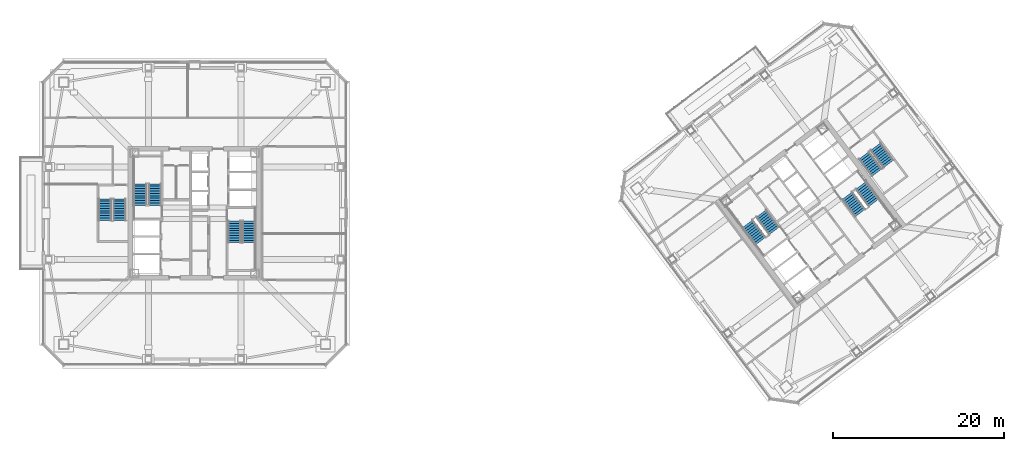
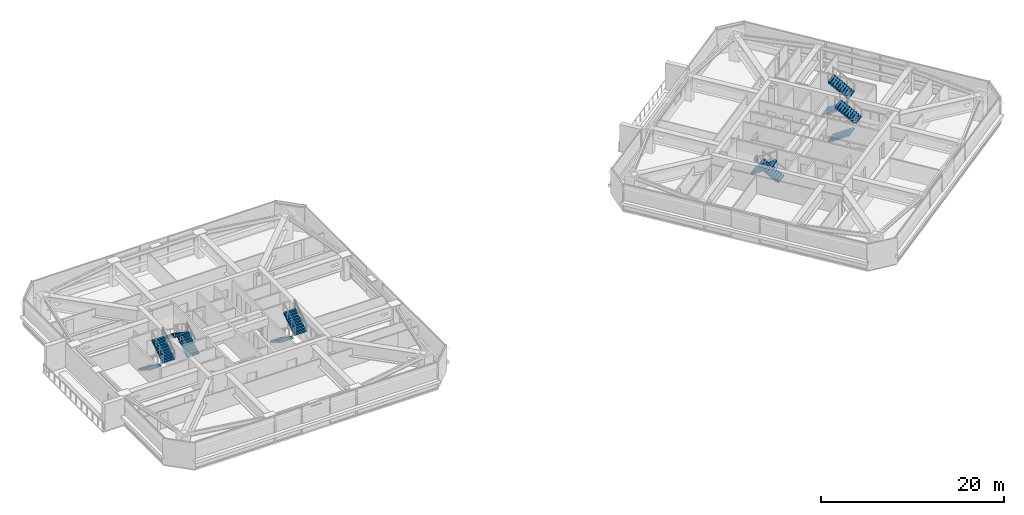
# One storey, part 36 of 42: 12 stair flights, 6 elements without a shape of their own.
"""IFC4 building model written with IfcOpenShell, lengths in metres."""

from ifc_helpers import new_model, si_unit, direction, frame, origin, place, context, subcontext, project, spatial, polyline, outline, extrude, material, type_object, element, aggregate, save


model = new_model("IFC4")

# Units and contexts
model_context = context("Model", 3, precision=1e-05, world=origin(), true_north=direction((0.0, 1.0)))
body_context = subcontext(model_context, "Body", "Model", "MODEL_VIEW")
ifc_project = project(units=[si_unit("LENGTHUNIT", "METRE"), si_unit("AREAUNIT", "SQUARE_METRE"), si_unit("VOLUMEUNIT", "CUBIC_METRE"), si_unit("PLANEANGLEUNIT", "RADIAN"), si_unit("MASSUNIT", "GRAM", prefix="KILO")], contexts=[model_context])

# Site, building, storey
site_placement = place(None, origin())
site = spatial("IfcSite", under=ifc_project, at=site_placement, CompositionType="ELEMENT")
building_placement = place(site_placement, origin())
building = spatial("IfcBuilding", under=site, at=building_placement, Name="Tashvorn Skyway Center", CompositionType="ELEMENT")
storey_placement = place(building_placement, frame((0.0, 0.0, 196.050048828125)))
storey = spatial("IfcBuildingStorey", under=building, at=storey_placement, Name="L53", CompositionType="ELEMENT", Elevation=196.050048828125)

# Stair, stair flights
ifc_material = material(Name="Concrete C40/50", Category="concrete")
stair_type = type_object("IfcStairType", Name="STAIR-CORE-1500", PredefinedType="HALF_TURN_STAIR", material=ifc_material)
stair_1_placement = place(storey_placement, origin())
stair_1 = element("IfcStair", 1, at=stair_1_placement, inside=storey, type_object=stair_type, Name="L53 Tower 1 Exit Stair 1", PredefinedType="HALF_TURN_STAIR")
stair_flight_type = type_object("IfcStairFlightType", Name="SFLIGHT-1500", PredefinedType="STRAIGHT", material=ifc_material)
stair_flight_1_placement = place(storey_placement, frame((37.35009765625, 32.919921875, 0.0), z_axis=(0.0, 0.0, 1.0), x_axis=(0.0, 1.0, 0.0)))
stair_flight_1 = element("IfcStairFlight", 2, at=stair_flight_1_placement, type_object=stair_flight_type, Name="ST-T1-1 flight 1", NumberOfRisers=10, NumberOfTreads=9, PredefinedType="STRAIGHT", RiserHeight=0.1775, TreadLength=0.28, context=body_context, shape_type="SweptSolid", body=[
    extrude(outline(polyline([(0.0, 0.0), (0.0, 0.177490234375), (0.280029296875, 0.177490234375), (0.280029296875, 0.35498046875), (0.56005859375, 0.35498046875), (0.56005859375, 0.532470703125), (0.840087890625, 0.532470703125), (0.840087890625, 0.7099609375), (1.1201171875, 0.7099609375), (1.1201171875, 0.887451171875), (1.39990234375, 0.887451171875), (1.39990234375, 1.06494140625), (1.679931640625, 1.06494140625), (1.679931640625, 1.242431640625), (1.9599609375, 1.242431640625), (1.9599609375, 1.419921875), (2.239990234375, 1.419921875), (2.239990234375, 1.597412109375), (2.52001953125, 1.597412109375), (2.52001953125, 1.77490234375), (2.52001953125, 1.419921875), (0.280029296875, 0.0), (0.0, 0.0)])), frame((0.0, 0.75, 0.0), z_axis=(0.0, -1.0, 0.0), x_axis=(1.0, 0.0, 0.0)), (0.0, 0.0, 1.0), 1.5),
])
stair_flight_2_placement = place(storey_placement, frame((35.64990234375, 35.43994140625, 1.77490234375), z_axis=(0.0, 0.0, 1.0), x_axis=(0.0, -1.0, 0.0)))
stair_flight_2 = element("IfcStairFlight", 3, at=stair_flight_2_placement, type_object=stair_flight_type, Name="ST-T1-1 flight 2", NumberOfRisers=10, NumberOfTreads=9, PredefinedType="STRAIGHT", RiserHeight=0.1775, TreadLength=0.28, context=body_context, shape_type="SweptSolid", body=[
    extrude(outline(polyline([(0.0, 0.0), (0.0, 0.177490234375), (0.280029296875, 0.177490234375), (0.280029296875, 0.35498046875), (0.56005859375, 0.35498046875), (0.56005859375, 0.532470703125), (0.840087890625, 0.532470703125), (0.840087890625, 0.7099609375), (1.1201171875, 0.7099609375), (1.1201171875, 0.887451171875), (1.39990234375, 0.887451171875), (1.39990234375, 1.06494140625), (1.679931640625, 1.06494140625), (1.679931640625, 1.242431640625), (1.9599609375, 1.242431640625), (1.9599609375, 1.419921875), (2.239990234375, 1.419921875), (2.239990234375, 1.597412109375), (2.52001953125, 1.597412109375), (2.52001953125, 1.77490234375), (2.52001953125, 1.419921875), (0.280029296875, 0.0), (0.0, 0.0)])), frame((0.0, 0.75, 0.0), z_axis=(0.0, -1.0, 0.0), x_axis=(1.0, 0.0, 0.0)), (0.0, 0.0, 1.0), 1.5),
])
aggregate(stair_1, [stair_flight_1, stair_flight_2])

stair_2_placement = place(storey_placement, origin())
stair_2 = element("IfcStair", 4, at=stair_2_placement, inside=storey, type_object=stair_type, Name="L53 Tower 1 Exit Stair 2", PredefinedType="HALF_TURN_STAIR")
stair_flight_3_placement = place(storey_placement, frame((46.64990234375, 31.080078125, 0.0), z_axis=(0.0, 0.0, 1.0), x_axis=(0.0, -1.0, 0.0)))
stair_flight_3 = element("IfcStairFlight", 5, at=stair_flight_3_placement, type_object=stair_flight_type, Name="ST-T1-2 flight 1", NumberOfRisers=10, NumberOfTreads=9, PredefinedType="STRAIGHT", RiserHeight=0.1775, TreadLength=0.28, context=body_context, shape_type="SweptSolid", body=[
    extrude(outline(polyline([(0.0, 0.0), (0.0, 0.177490234375), (0.280029296875, 0.177490234375), (0.280029296875, 0.35498046875), (0.56005859375, 0.35498046875), (0.56005859375, 0.532470703125), (0.840087890625, 0.532470703125), (0.840087890625, 0.7099609375), (1.1201171875, 0.7099609375), (1.1201171875, 0.887451171875), (1.39990234375, 0.887451171875), (1.39990234375, 1.06494140625), (1.679931640625, 1.06494140625), (1.679931640625, 1.242431640625), (1.9599609375, 1.242431640625), (1.9599609375, 1.419921875), (2.239990234375, 1.419921875), (2.239990234375, 1.597412109375), (2.52001953125, 1.597412109375), (2.52001953125, 1.77490234375), (2.52001953125, 1.419921875), (0.280029296875, 0.0), (0.0, 0.0)])), frame((0.0, 0.75, 0.0), z_axis=(0.0, -1.0, 0.0), x_axis=(1.0, 0.0, 0.0)), (0.0, 0.0, 1.0), 1.5),
])
stair_flight_4_placement = place(storey_placement, frame((48.35009765625, 28.56005859375, 1.77490234375), z_axis=(0.0, 0.0, 1.0), x_axis=(0.0, 1.0, 0.0)))
stair_flight_4 = element("IfcStairFlight", 6, at=stair_flight_4_placement, type_object=stair_flight_type, Name="ST-T1-2 flight 2", NumberOfRisers=10, NumberOfTreads=9, PredefinedType="STRAIGHT", RiserHeight=0.1775, TreadLength=0.28, context=body_context, shape_type="SweptSolid", body=[
    extrude(outline(polyline([(0.0, 0.0), (0.0, 0.177490234375), (0.280029296875, 0.177490234375), (0.280029296875, 0.35498046875), (0.56005859375, 0.35498046875), (0.56005859375, 0.532470703125), (0.840087890625, 0.532470703125), (0.840087890625, 0.7099609375), (1.1201171875, 0.7099609375), (1.1201171875, 0.887451171875), (1.39990234375, 0.887451171875), (1.39990234375, 1.06494140625), (1.679931640625, 1.06494140625), (1.679931640625, 1.242431640625), (1.9599609375, 1.242431640625), (1.9599609375, 1.419921875), (2.239990234375, 1.419921875), (2.239990234375, 1.597412109375), (2.52001953125, 1.597412109375), (2.52001953125, 1.77490234375), (2.52001953125, 1.419921875), (0.280029296875, 0.0), (0.0, 0.0)])), frame((0.0, 0.75, 0.0), z_axis=(0.0, -1.0, 0.0), x_axis=(1.0, 0.0, 0.0)), (0.0, 0.0, 1.0), 1.5),
])
aggregate(stair_2, [stair_flight_3, stair_flight_4])

stair_3_placement = place(storey_placement, origin())
stair_3 = element("IfcStair", 7, at=stair_3_placement, inside=storey, type_object=stair_type, Name="L53 Tower 2 Exit Stair 1", PredefinedType="HALF_TURN_STAIR")
stair_flight_5_placement = place(storey_placement, frame((109.72802734375, 29.946044921875, 0.0), z_axis=(0.0, 0.0, 1.0), x_axis=(-0.600000004945, 0.799999996291, 0.0)))
stair_flight_5 = element("IfcStairFlight", 8, at=stair_flight_5_placement, type_object=stair_flight_type, Name="ST-T2-1 flight 1", NumberOfRisers=10, NumberOfTreads=9, PredefinedType="STRAIGHT", RiserHeight=0.1775, TreadLength=0.28, context=body_context, shape_type="SweptSolid", body=[
    extrude(outline(polyline([(0.0, 0.0), (0.0, 0.177490234375), (0.280029296875, 0.177490234375), (0.280029296875, 0.35498046875), (0.56005859375, 0.35498046875), (0.56005859375, 0.532470703125), (0.840087890625, 0.532470703125), (0.840087890625, 0.7099609375), (1.1201171875, 0.7099609375), (1.1201171875, 0.887451171875), (1.39990234375, 0.887451171875), (1.39990234375, 1.06494140625), (1.679931640625, 1.06494140625), (1.679931640625, 1.242431640625), (1.9599609375, 1.242431640625), (1.9599609375, 1.419921875), (2.239990234375, 1.419921875), (2.239990234375, 1.597412109375), (2.52001953125, 1.597412109375), (2.52001953125, 1.77490234375), (2.52001953125, 1.419921875), (0.280029296875, 0.0), (0.0, 0.0)])), frame((0.0, 0.75, 0.0), z_axis=(0.0, -1.0, 0.0), x_axis=(1.0, 0.0, 0.0)), (0.0, 0.0, 1.0), 1.5),
])
stair_flight_6_placement = place(storey_placement, frame((106.632080078125, 30.77392578125, 1.77490234375), z_axis=(0.0, 0.0, 1.0), x_axis=(0.600000004945, -0.799999996291, 0.0)))
stair_flight_6 = element("IfcStairFlight", 9, at=stair_flight_6_placement, type_object=stair_flight_type, Name="ST-T2-1 flight 2", NumberOfRisers=10, NumberOfTreads=9, PredefinedType="STRAIGHT", RiserHeight=0.1775, TreadLength=0.28, context=body_context, shape_type="SweptSolid", body=[
    extrude(outline(polyline([(0.0, 0.0), (0.0, 0.177490234375), (0.280029296875, 0.177490234375), (0.280029296875, 0.35498046875), (0.56005859375, 0.35498046875), (0.56005859375, 0.532470703125), (0.840087890625, 0.532470703125), (0.840087890625, 0.7099609375), (1.1201171875, 0.7099609375), (1.1201171875, 0.887451171875), (1.39990234375, 0.887451171875), (1.39990234375, 1.06494140625), (1.679931640625, 1.06494140625), (1.679931640625, 1.242431640625), (1.9599609375, 1.242431640625), (1.9599609375, 1.419921875), (2.239990234375, 1.419921875), (2.239990234375, 1.597412109375), (2.52001953125, 1.597412109375), (2.52001953125, 1.77490234375), (2.52001953125, 1.419921875), (0.280029296875, 0.0), (0.0, 0.0)])), frame((0.0, 0.75, 0.0), z_axis=(0.0, -1.0, 0.0), x_axis=(1.0, 0.0, 0.0)), (0.0, 0.0, 1.0), 1.5),
])
aggregate(stair_3, [stair_flight_5, stair_flight_6])

stair_4_placement = place(storey_placement, origin())
stair_4 = element("IfcStair", 10, at=stair_4_placement, inside=storey, type_object=stair_type, Name="L53 Tower 2 Exit Stair 2", PredefinedType="HALF_TURN_STAIR")
stair_flight_7_placement = place(storey_placement, frame((118.27197265625, 34.053955078125, 0.0), z_axis=(0.0, 0.0, 1.0), x_axis=(0.600000004945, -0.799999996291, 0.0)))
stair_flight_7 = element("IfcStairFlight", 11, at=stair_flight_7_placement, type_object=stair_flight_type, Name="ST-T2-2 flight 1", NumberOfRisers=10, NumberOfTreads=9, PredefinedType="STRAIGHT", RiserHeight=0.1775, TreadLength=0.28, context=body_context, shape_type="SweptSolid", body=[
    extrude(outline(polyline([(0.0, 0.0), (0.0, 0.177490234375), (0.280029296875, 0.177490234375), (0.280029296875, 0.35498046875), (0.56005859375, 0.35498046875), (0.56005859375, 0.532470703125), (0.840087890625, 0.532470703125), (0.840087890625, 0.7099609375), (1.1201171875, 0.7099609375), (1.1201171875, 0.887451171875), (1.39990234375, 0.887451171875), (1.39990234375, 1.06494140625), (1.679931640625, 1.06494140625), (1.679931640625, 1.242431640625), (1.9599609375, 1.242431640625), (1.9599609375, 1.419921875), (2.239990234375, 1.419921875), (2.239990234375, 1.597412109375), (2.52001953125, 1.597412109375), (2.52001953125, 1.77490234375), (2.52001953125, 1.419921875), (0.280029296875, 0.0), (0.0, 0.0)])), frame((0.0, 0.75, 0.0), z_axis=(0.0, -1.0, 0.0), x_axis=(1.0, 0.0, 0.0)), (0.0, 0.0, 1.0), 1.5),
])
stair_flight_8_placement = place(storey_placement, frame((121.367919921875, 33.22607421875, 1.77490234375), z_axis=(0.0, 0.0, 1.0), x_axis=(-0.600000004945, 0.799999996291, 0.0)))
stair_flight_8 = element("IfcStairFlight", 12, at=stair_flight_8_placement, type_object=stair_flight_type, Name="ST-T2-2 flight 2", NumberOfRisers=10, NumberOfTreads=9, PredefinedType="STRAIGHT", RiserHeight=0.1775, TreadLength=0.28, context=body_context, shape_type="SweptSolid", body=[
    extrude(outline(polyline([(0.0, 0.0), (0.0, 0.177490234375), (0.280029296875, 0.177490234375), (0.280029296875, 0.35498046875), (0.56005859375, 0.35498046875), (0.56005859375, 0.532470703125), (0.840087890625, 0.532470703125), (0.840087890625, 0.7099609375), (1.1201171875, 0.7099609375), (1.1201171875, 0.887451171875), (1.39990234375, 0.887451171875), (1.39990234375, 1.06494140625), (1.679931640625, 1.06494140625), (1.679931640625, 1.242431640625), (1.9599609375, 1.242431640625), (1.9599609375, 1.419921875), (2.239990234375, 1.419921875), (2.239990234375, 1.597412109375), (2.52001953125, 1.597412109375), (2.52001953125, 1.77490234375), (2.52001953125, 1.419921875), (0.280029296875, 0.0), (0.0, 0.0)])), frame((0.0, 0.75, 0.0), z_axis=(0.0, -1.0, 0.0), x_axis=(1.0, 0.0, 0.0)), (0.0, 0.0, 1.0), 1.5),
])
aggregate(stair_4, [stair_flight_7, stair_flight_8])

stair_5_placement = place(storey_placement, origin())
stair_5 = element("IfcStair", 13, at=stair_5_placement, inside=storey, type_object=stair_type, Name="L53 Tower 1 Exit Stair 3", PredefinedType="HALF_TURN_STAIR")
stair_flight_9_placement = place(storey_placement, frame((31.550048828125, 33.679931640625, 0.0), z_axis=(0.0, 0.0, 1.0), x_axis=(0.0, -1.0, 0.0)))
stair_flight_9 = element("IfcStairFlight", 14, at=stair_flight_9_placement, type_object=stair_flight_type, Name="ST-T1-3 flight 1", NumberOfRisers=10, NumberOfTreads=9, PredefinedType="STRAIGHT", RiserHeight=0.1775, TreadLength=0.28, context=body_context, shape_type="SweptSolid", body=[
    extrude(outline(polyline([(0.0, 0.0), (0.0, 0.177490234375), (0.280029296875, 0.177490234375), (0.280029296875, 0.35498046875), (0.56005859375, 0.35498046875), (0.56005859375, 0.532470703125), (0.840087890625, 0.532470703125), (0.840087890625, 0.7099609375), (1.1201171875, 0.7099609375), (1.1201171875, 0.887451171875), (1.39990234375, 0.887451171875), (1.39990234375, 1.06494140625), (1.679931640625, 1.06494140625), (1.679931640625, 1.242431640625), (1.9599609375, 1.242431640625), (1.9599609375, 1.419921875), (2.239990234375, 1.419921875), (2.239990234375, 1.597412109375), (2.52001953125, 1.597412109375), (2.52001953125, 1.77490234375), (2.52001953125, 1.419921875), (0.280029296875, 0.0), (0.0, 0.0)])), frame((0.0, 0.75, 0.0), z_axis=(0.0, -1.0, 0.0), x_axis=(1.0, 0.0, 0.0)), (0.0, 0.0, 1.0), 1.5),
])
stair_flight_10_placement = place(storey_placement, frame((33.25, 31.159912109375, 1.77490234375), z_axis=(0.0, 0.0, 1.0), x_axis=(0.0, 1.0, 0.0)))
stair_flight_10 = element("IfcStairFlight", 15, at=stair_flight_10_placement, type_object=stair_flight_type, Name="ST-T1-3 flight 2", NumberOfRisers=10, NumberOfTreads=9, PredefinedType="STRAIGHT", RiserHeight=0.1775, TreadLength=0.28, context=body_context, shape_type="SweptSolid", body=[
    extrude(outline(polyline([(0.0, 0.0), (0.0, 0.177490234375), (0.280029296875, 0.177490234375), (0.280029296875, 0.35498046875), (0.56005859375, 0.35498046875), (0.56005859375, 0.532470703125), (0.840087890625, 0.532470703125), (0.840087890625, 0.7099609375), (1.1201171875, 0.7099609375), (1.1201171875, 0.887451171875), (1.39990234375, 0.887451171875), (1.39990234375, 1.06494140625), (1.679931640625, 1.06494140625), (1.679931640625, 1.242431640625), (1.9599609375, 1.242431640625), (1.9599609375, 1.419921875), (2.239990234375, 1.419921875), (2.239990234375, 1.597412109375), (2.52001953125, 1.597412109375), (2.52001953125, 1.77490234375), (2.52001953125, 1.419921875), (0.280029296875, 0.0), (0.0, 0.0)])), frame((0.0, 0.75, 0.0), z_axis=(0.0, -1.0, 0.0), x_axis=(1.0, 0.0, 0.0)), (0.0, 0.0, 1.0), 1.5),
])
aggregate(stair_5, [stair_flight_9, stair_flight_10])

stair_6_placement = place(storey_placement, origin())
stair_6 = element("IfcStair", 16, at=stair_6_placement, inside=storey, type_object=stair_type, Name="L53 Tower 2 Exit Stair 3", PredefinedType="HALF_TURN_STAIR")
stair_flight_11_placement = place(storey_placement, frame((120.216064453125, 38.761962890625, 0.0), z_axis=(0.0, 0.0, 1.0), x_axis=(0.600000004945, -0.799999996291, 0.0)))
stair_flight_11 = element("IfcStairFlight", 17, at=stair_flight_11_placement, type_object=stair_flight_type, Name="ST-T2-3 flight 1", NumberOfRisers=10, NumberOfTreads=9, PredefinedType="STRAIGHT", RiserHeight=0.1775, TreadLength=0.28, context=body_context, shape_type="SweptSolid", body=[
    extrude(outline(polyline([(0.0, 0.0), (0.0, 0.177490234375), (0.280029296875, 0.177490234375), (0.280029296875, 0.35498046875), (0.56005859375, 0.35498046875), (0.56005859375, 0.532470703125), (0.840087890625, 0.532470703125), (0.840087890625, 0.7099609375), (1.1201171875, 0.7099609375), (1.1201171875, 0.887451171875), (1.39990234375, 0.887451171875), (1.39990234375, 1.06494140625), (1.679931640625, 1.06494140625), (1.679931640625, 1.242431640625), (1.9599609375, 1.242431640625), (1.9599609375, 1.419921875), (2.239990234375, 1.419921875), (2.239990234375, 1.597412109375), (2.52001953125, 1.597412109375), (2.52001953125, 1.77490234375), (2.52001953125, 1.419921875), (0.280029296875, 0.0), (0.0, 0.0)])), frame((0.0, 0.75, 0.0), z_axis=(0.0, -1.0, 0.0), x_axis=(1.0, 0.0, 0.0)), (0.0, 0.0, 1.0), 1.5),
])
stair_flight_12_placement = place(storey_placement, frame((123.087890625, 37.76611328125, 1.77490234375), z_axis=(0.0, 0.0, 1.0), x_axis=(-0.600000004945, 0.799999996291, 0.0)))
stair_flight_12 = element("IfcStairFlight", 18, at=stair_flight_12_placement, type_object=stair_flight_type, Name="ST-T2-3 flight 2", NumberOfRisers=10, NumberOfTreads=9, PredefinedType="STRAIGHT", RiserHeight=0.1775, TreadLength=0.28, context=body_context, shape_type="SweptSolid", body=[
    extrude(outline(polyline([(0.0, 0.0), (0.0, 0.177490234375), (0.280029296875, 0.177490234375), (0.280029296875, 0.35498046875), (0.56005859375, 0.35498046875), (0.56005859375, 0.532470703125), (0.840087890625, 0.532470703125), (0.840087890625, 0.7099609375), (1.1201171875, 0.7099609375), (1.1201171875, 0.887451171875), (1.39990234375, 0.887451171875), (1.39990234375, 1.06494140625), (1.679931640625, 1.06494140625), (1.679931640625, 1.242431640625), (1.9599609375, 1.242431640625), (1.9599609375, 1.419921875), (2.239990234375, 1.419921875), (2.239990234375, 1.597412109375), (2.52001953125, 1.597412109375), (2.52001953125, 1.77490234375), (2.52001953125, 1.419921875), (0.280029296875, 0.0), (0.0, 0.0)])), frame((0.0, 0.75, 0.0), z_axis=(0.0, -1.0, 0.0), x_axis=(1.0, 0.0, 0.0)), (0.0, 0.0, 1.0), 1.5),
])
aggregate(stair_6, [stair_flight_11, stair_flight_12])

save(model, "model.ifc")
